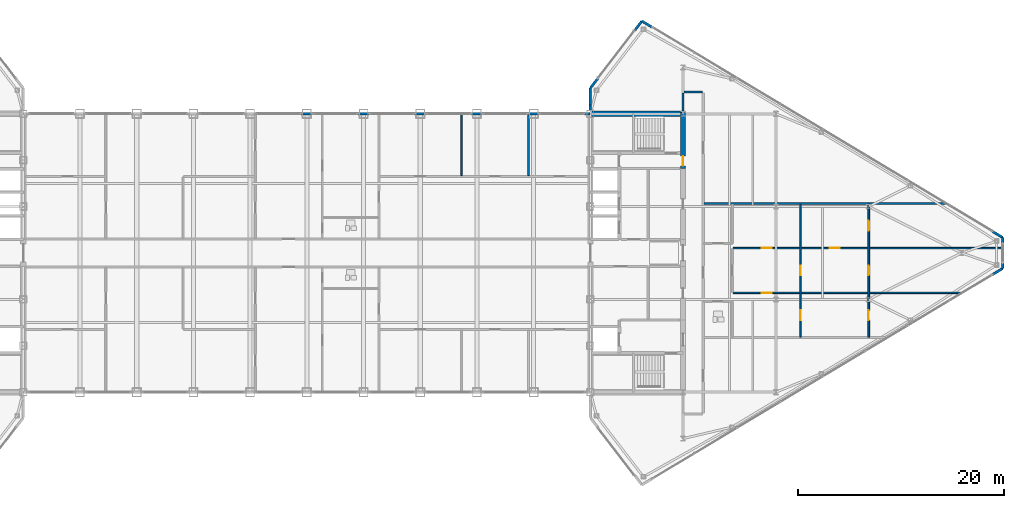
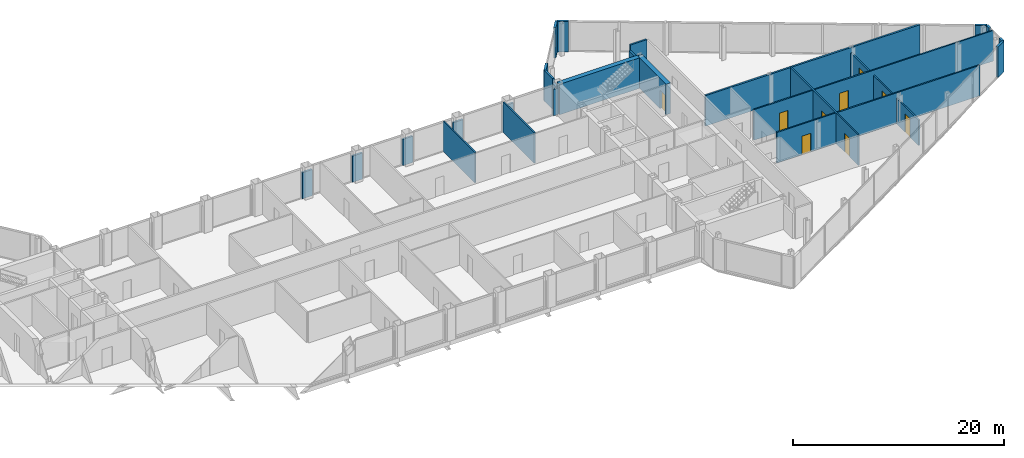
# One storey, part 26 of 29: 26 walls, 9 doors, 9 openings.
"""IFC4 building model written with IfcOpenShell, lengths in metres."""

from ifc_helpers import new_model, si_unit, direction, frame, frame_2d, origin, place, context, subcontext, project, spatial, rectangle, extrude, source, transform, mapped, material, layer, layer_set, type_object, type_shapes, element, fill, save


model = new_model("IFC4")

# Units and contexts
model_context = context("Model", 3, precision=1e-05, world=origin(), true_north=direction((0.0, 1.0)))
body_context = subcontext(model_context, "Body", "Model", "MODEL_VIEW")
ifc_project = project(units=[si_unit("LENGTHUNIT", "METRE"), si_unit("AREAUNIT", "SQUARE_METRE"), si_unit("VOLUMEUNIT", "CUBIC_METRE"), si_unit("PLANEANGLEUNIT", "RADIAN"), si_unit("MASSUNIT", "GRAM", prefix="KILO")], contexts=[model_context])

# Site, building, storey
site_placement = place(None, origin())
site = spatial("IfcSite", under=ifc_project, at=site_placement, CompositionType="ELEMENT")
building_placement = place(site_placement, origin())
building = spatial("IfcBuilding", under=site, at=building_placement, Name="Seokmaru Belvedere", CompositionType="ELEMENT")
storey_placement = place(building_placement, frame((0.0, 0.0, 246.89990234375)))
storey = spatial("IfcBuildingStorey", under=building, at=storey_placement, Name="L65", CompositionType="ELEMENT", Elevation=246.89990234375)

# Wall, opening, door
ifc_material_1 = material(Name="Fire-Rated Gypsum Shaftwall")
ifc_layer_1 = layer(ifc_material_1, 0.14990234375)
ifc_layer_set_1 = layer_set([ifc_layer_1], Name="Fire-Rated Gypsum Shaftwall")
wall_type_1 = type_object("IfcWallType", Name="Apartment Fire-Acoustic Room Partition 150", PredefinedType="PARTITIONING", material=ifc_layer_set_1)
wall_1_placement = place(storey_placement, frame((41.35009765625, -3.8701171875, 0.0), z_axis=(0.0, 0.0, 1.0), x_axis=(1.0, 0.0, 0.0)))
wall_1 = element("IfcWall", 1, at=wall_1_placement, inside=storey, type_object=wall_type_1, Name="L65 Interior Partition 011", PredefinedType="PARTITIONING", context=body_context, shape_type="SweptSolid", body=[
    extrude(rectangle(XDim=22.239990234375, YDim=0.14990234375, at=frame_2d((11.1201171875, 0.0))), origin(), (0.0, 0.0, 1.0), 3.530029296875),
])
opening_1_placement = place(wall_1_placement, frame((2.77490234375, 0.0, 0.0)))
opening_1 = element("IfcOpeningElement", 2, at=opening_1_placement, cuts=wall_1, Name="Opening D05", PredefinedType="OPENING", context=body_context, shape_type="SweptSolid", body=[
    extrude(rectangle(XDim=0.949951171875, YDim=2.14990234375, at=frame_2d((0.47509765625, 1.074951171875))), frame((0.0, 0.0849609375, 0.0), z_axis=(0.0, -1.0, 0.0), x_axis=(1.0, 0.0, 0.0)), (0.0, 0.0, 1.0), 0.169921875),
])
ifc_material_2 = material(Name="Engineered White Oak Timber", Category="wood")
door_type_1 = type_object("IfcDoorType", Name="Apartment Interior Fire-Rated Oak Door 950x2150", OperationType="NOTDEFINED", PredefinedType="DOOR", material=ifc_material_2)
shared_shape_1 = source(origin(), body_context, "Body", "SweptSolid", [
    extrude(rectangle(XDim=0.949951171875, YDim=2.14990234375, at=frame_2d((0.47509765625, 1.074951171875))), frame((0.0, 0.02490234375, 0.0), z_axis=(0.0, -1.0, 0.0), x_axis=(1.0, 0.0, 0.0)), (0.0, 0.0, 1.0), 0.050048828125),
])
type_shapes(door_type_1, [shared_shape_1])
door_1_placement = place(opening_1_placement, origin())
door_1 = element("IfcDoor", 3, at=door_1_placement, inside=storey, type_object=door_type_1, Name="L65 Interior Door 017", OperationType="SINGLE_SWING_LEFT", OverallHeight=2.14990234375, OverallWidth=0.949951171875, PredefinedType="DOOR", context=body_context, shape_type="MappedRepresentation", body=[
    mapped(shared_shape_1, transform((0.0, 0.0, 0.0), scale=1.0)),
])
fill(opening_1, door_1)

# Wall, openings, doors
wall_2_placement = place(storey_placement, frame((41.35009765625, 0.469970703125, 0.0), z_axis=(0.0, 0.0, 1.0), x_axis=(1.0, 0.0, 0.0)))
wall_2 = element("IfcWall", 4, at=wall_2_placement, inside=storey, type_object=wall_type_1, Name="L65 Interior Partition 016", PredefinedType="PARTITIONING", context=body_context, shape_type="SweptSolid", body=[
    extrude(rectangle(XDim=26.184814453125, YDim=0.14990234375, at=frame_2d((13.09228515625, 0.0))), origin(), (0.0, 0.0, 1.0), 3.530029296875),
])
opening_2_placement = place(wall_2_placement, frame((2.77490234375, 0.0, 0.0)))
opening_2 = element("IfcOpeningElement", 5, at=opening_2_placement, cuts=wall_2, Name="Opening D05", PredefinedType="OPENING", context=body_context, shape_type="SweptSolid", body=[
    extrude(rectangle(XDim=0.949951171875, YDim=2.14990234375, at=frame_2d((0.47509765625, 1.074951171875))), frame((0.0, 0.0849609375, 0.0), z_axis=(0.0, -1.0, 0.0), x_axis=(1.0, 0.0, 0.0)), (0.0, 0.0, 1.0), 0.169921875),
])
opening_3_placement = place(wall_2_placement, frame((9.375, 0.0, 0.0)))
opening_3 = element("IfcOpeningElement", 6, at=opening_3_placement, cuts=wall_2, Name="Opening D05", PredefinedType="OPENING", context=body_context, shape_type="SweptSolid", body=[
    extrude(rectangle(XDim=0.949951171875, YDim=2.14990234375, at=frame_2d((0.47509765625, 1.074951171875))), frame((0.0, 0.0849609375, 0.0), z_axis=(0.0, -1.0, 0.0), x_axis=(1.0, 0.0, 0.0)), (0.0, 0.0, 1.0), 0.169921875),
])
door_2_placement = place(opening_2_placement, origin())
door_2 = element("IfcDoor", 7, at=door_2_placement, inside=storey, type_object=door_type_1, Name="L65 Interior Door 019", OperationType="SINGLE_SWING_RIGHT", OverallHeight=2.14990234375, OverallWidth=0.949951171875, PredefinedType="DOOR", context=body_context, shape_type="MappedRepresentation", body=[
    mapped(shared_shape_1, transform((0.0, 0.0, 0.0), scale=1.0)),
])
fill(opening_2, door_2)
door_3_placement = place(opening_3_placement, origin())
door_3 = element("IfcDoor", 8, at=door_3_placement, inside=storey, type_object=door_type_1, Name="L65 Interior Door 023", OperationType="SINGLE_SWING_LEFT", OverallHeight=2.14990234375, OverallWidth=0.949951171875, PredefinedType="DOOR", context=body_context, shape_type="MappedRepresentation", body=[
    mapped(shared_shape_1, transform((0.0, 0.0, 0.0), scale=1.0)),
])
fill(opening_3, door_3)

# Walls
wall_3_placement = place(storey_placement, frame((15.0, 7.510009765625, 0.0), z_axis=(0.0, 0.0, 1.0), x_axis=(0.0, 1.0, 0.0)))
element("IfcWall", 9, at=wall_3_placement, inside=storey, type_object=wall_type_1, Name="L65 Interior Partition 045", PredefinedType="PARTITIONING", context=body_context, shape_type="SweptSolid", body=[
    extrude(rectangle(XDim=5.989990234375, YDim=0.14990234375, at=frame_2d((2.9951171875, 0.0))), origin(), (0.0, 0.0, 1.0), 3.530029296875),
])
wall_4_placement = place(storey_placement, frame((21.5, 7.510009765625, 0.0), z_axis=(0.0, 0.0, 1.0), x_axis=(0.0, 1.0, 0.0)))
element("IfcWall", 10, at=wall_4_placement, inside=storey, type_object=wall_type_1, Name="L65 Interior Partition 047", PredefinedType="PARTITIONING", context=body_context, shape_type="SweptSolid", body=[
    extrude(rectangle(XDim=5.8798828125, YDim=0.14990234375, at=frame_2d((2.93994140625, 0.0))), origin(), (0.0, 0.0, 1.0), 3.530029296875),
])

# Wall, openings, doors
wall_5_placement = place(storey_placement, frame((47.89990234375, -8.14990234375, 0.0), z_axis=(0.0, 0.0, 1.0), x_axis=(0.0, 1.0, 0.0)))
wall_5 = element("IfcWall", 11, at=wall_5_placement, inside=storey, type_object=wall_type_1, Name="L65 Interior Partition 054", PredefinedType="PARTITIONING", context=body_context, shape_type="SweptSolid", body=[
    extrude(rectangle(XDim=12.89990234375, YDim=0.14990234375, at=frame_2d((6.449951171875, 0.0))), origin(), (0.0, 0.0, 1.0), 3.530029296875),
])
opening_4_placement = place(wall_5_placement, frame((5.97509765625, 0.0, 0.0)))
opening_4 = element("IfcOpeningElement", 12, at=opening_4_placement, cuts=wall_5, Name="Opening D05", PredefinedType="OPENING", context=body_context, shape_type="SweptSolid", body=[
    extrude(rectangle(XDim=0.949951171875, YDim=2.14990234375, at=frame_2d((0.47509765625, 1.074951171875))), frame((0.0, 0.0849609375, 0.0), z_axis=(0.0, -1.0, 0.0), x_axis=(1.0, 0.0, 0.0)), (0.0, 0.0, 1.0), 0.169921875),
])
opening_5_placement = place(wall_5_placement, frame((1.6416015625, 0.0, 0.0)))
opening_5 = element("IfcOpeningElement", 13, at=opening_5_placement, cuts=wall_5, Name="Opening D05", PredefinedType="OPENING", context=body_context, shape_type="SweptSolid", body=[
    extrude(rectangle(XDim=0.949951171875, YDim=2.14990234375, at=frame_2d((0.47509765625, 1.074951171875))), frame((0.0, 0.0849609375, 0.0), z_axis=(0.0, -1.0, 0.0), x_axis=(1.0, 0.0, 0.0)), (0.0, 0.0, 1.0), 0.169921875),
])
door_4_placement = place(opening_4_placement, origin())
door_4 = element("IfcDoor", 14, at=door_4_placement, inside=storey, type_object=door_type_1, Name="L65 Interior Door 018", OperationType="SINGLE_SWING_RIGHT", OverallHeight=2.14990234375, OverallWidth=0.949951171875, PredefinedType="DOOR", context=body_context, shape_type="MappedRepresentation", body=[
    mapped(shared_shape_1, transform((0.0, 0.0, 0.0), scale=1.0)),
])
fill(opening_4, door_4)
door_5_placement = place(opening_5_placement, origin())
door_5 = element("IfcDoor", 15, at=door_5_placement, inside=storey, type_object=door_type_1, Name="L65 Interior Door 021", OperationType="SINGLE_SWING_LEFT", OverallHeight=2.14990234375, OverallWidth=0.949951171875, PredefinedType="DOOR", context=body_context, shape_type="MappedRepresentation", body=[
    mapped(shared_shape_1, transform((0.0, 0.0, 0.0), scale=1.0)),
])
fill(opening_5, door_5)

wall_6_placement = place(storey_placement, frame((54.5, -8.14990234375, 0.0), z_axis=(0.0, 0.0, 1.0), x_axis=(0.0, 1.0, 0.0)))
wall_6 = element("IfcWall", 16, at=wall_6_placement, inside=storey, type_object=wall_type_1, Name="L65 Interior Partition 055", PredefinedType="PARTITIONING", context=body_context, shape_type="SweptSolid", body=[
    extrude(rectangle(XDim=12.89990234375, YDim=0.14990234375, at=frame_2d((6.449951171875, 0.0))), origin(), (0.0, 0.0, 1.0), 2.93017578125),
])
opening_6_placement = place(wall_6_placement, frame((5.97509765625, 0.0, 0.0)))
opening_6 = element("IfcOpeningElement", 17, at=opening_6_placement, cuts=wall_6, Name="Opening D05", PredefinedType="OPENING", context=body_context, shape_type="SweptSolid", body=[
    extrude(rectangle(XDim=0.949951171875, YDim=2.14990234375, at=frame_2d((0.47509765625, 1.074951171875))), frame((0.0, 0.0849609375, 0.0), z_axis=(0.0, -1.0, 0.0), x_axis=(1.0, 0.0, 0.0)), (0.0, 0.0, 1.0), 0.169921875),
])
opening_7_placement = place(wall_6_placement, frame((1.6416015625, 0.0, 0.0)))
opening_7 = element("IfcOpeningElement", 18, at=opening_7_placement, cuts=wall_6, Name="Opening D05", PredefinedType="OPENING", context=body_context, shape_type="SweptSolid", body=[
    extrude(rectangle(XDim=0.949951171875, YDim=2.14990234375, at=frame_2d((0.47509765625, 1.074951171875))), frame((0.0, 0.0849609375, 0.0), z_axis=(0.0, -1.0, 0.0), x_axis=(1.0, 0.0, 0.0)), (0.0, 0.0, 1.0), 0.169921875),
])
opening_8_placement = place(wall_6_placement, frame((10.308349609375, 0.0, 0.0)))
opening_8 = element("IfcOpeningElement", 19, at=opening_8_placement, cuts=wall_6, Name="Opening D05", PredefinedType="OPENING", context=body_context, shape_type="SweptSolid", body=[
    extrude(rectangle(XDim=0.949951171875, YDim=2.14990234375, at=frame_2d((0.47509765625, 1.074951171875))), frame((0.0, 0.0849609375, 0.0), z_axis=(0.0, -1.0, 0.0), x_axis=(1.0, 0.0, 0.0)), (0.0, 0.0, 1.0), 0.169921875),
])
door_6_placement = place(opening_6_placement, origin())
door_6 = element("IfcDoor", 20, at=door_6_placement, inside=storey, type_object=door_type_1, Name="L65 Interior Door 020", OperationType="SINGLE_SWING_RIGHT", OverallHeight=2.14990234375, OverallWidth=0.949951171875, PredefinedType="DOOR", context=body_context, shape_type="MappedRepresentation", body=[
    mapped(shared_shape_1, transform((0.0, 0.0, 0.0), scale=1.0)),
])
fill(opening_6, door_6)
door_7_placement = place(opening_7_placement, origin())
door_7 = element("IfcDoor", 21, at=door_7_placement, inside=storey, type_object=door_type_1, Name="L65 Interior Door 022", OperationType="SINGLE_SWING_LEFT", OverallHeight=2.14990234375, OverallWidth=0.949951171875, PredefinedType="DOOR", context=body_context, shape_type="MappedRepresentation", body=[
    mapped(shared_shape_1, transform((0.0, 0.0, 0.0), scale=1.0)),
])
fill(opening_7, door_7)
door_8_placement = place(opening_8_placement, origin())
door_8 = element("IfcDoor", 22, at=door_8_placement, inside=storey, type_object=door_type_1, Name="L65 Interior Door 024", OperationType="SINGLE_SWING_RIGHT", OverallHeight=2.14990234375, OverallWidth=0.949951171875, PredefinedType="DOOR", context=body_context, shape_type="MappedRepresentation", body=[
    mapped(shared_shape_1, transform((0.0, 0.0, 0.0), scale=1.0)),
])
fill(opening_8, door_8)

# Walls
ifc_material_3 = material(Name="Anodised Bronze Aluminium", Category="aluminium")
ifc_layer_2 = layer(ifc_material_3, 0.2099609375)
ifc_layer_set_2 = layer_set([ifc_layer_2], Name="Anodised Bronze Aluminium")
wall_type_2 = type_object("IfcWallType", Name="Bridge Column Spandrel Closure Pier 210", PredefinedType="SOLIDWALL", material=ifc_layer_set_2)
for number, where, z_axis, x_axis, name in (
    (23, (-0.550048828125, 13.5, 0.0), (0.0, 0.0, 1.0), (1.0, 0.0, 0.0), "L65 Bridge North Column Closure Pier 06"),
    (24, (4.949951171875, 13.5, 0.0), (0.0, 0.0, 1.0), (1.0, 0.0, 0.0), "L65 Bridge North Column Closure Pier 07"),
    (25, (10.449951171875, 13.5, 0.0), (0.0, 0.0, 1.0), (1.0, 0.0, 0.0), "L65 Bridge North Column Closure Pier 08"),
    (26, (15.949951171875, 13.5, 0.0), (0.0, 0.0, 1.0), (1.0, 0.0, 0.0), "L65 Bridge North Column Closure Pier 09"),
    (27, (21.449951171875, 13.5, 0.0), (0.0, 0.0, 1.0), (1.0, 0.0, 0.0), "L65 Bridge North Column Closure Pier 10"),
):
    element("IfcWall", number, at=place(storey_placement, frame(where, z_axis=z_axis, x_axis=x_axis)), inside=storey, type_object=wall_type_2, Name=name, PredefinedType="SOLIDWALL", context=body_context, shape_type="SweptSolid", body=[
        extrude(rectangle(XDim=1.10009765625, YDim=0.2099609375, at=frame_2d((0.550048828125, 0.0))), origin(), (0.0, 0.0, 1.0), 3.030029296875),
    ])
wall_7_placement = place(storey_placement, frame((26.949951171875, 13.5, 0.0), z_axis=(0.0, 0.0, 1.0), x_axis=(1.0, 0.0, 0.0)))
element("IfcWall", 28, at=wall_7_placement, inside=storey, type_object=wall_type_2, Name="L65 Bridge North Column Closure Pier 11", PredefinedType="SOLIDWALL", context=body_context, shape_type="SweptSolid", body=[
    extrude(rectangle(XDim=0.5400390625, YDim=0.2099609375, at=frame_2d((0.27001953125, 0.0))), origin(), (0.0, 0.0, 1.0), 3.030029296875),
])
ifc_layer_3 = layer(ifc_material_1, 0.199951171875)
ifc_layer_set_3 = layer_set([ifc_layer_3], Name="Fire-Rated Gypsum Shaftwall")
wall_type_3 = type_object("IfcWallType", Name="Inter-Tenancy Fire Compartment Partition 200", PredefinedType="PARTITIONING", material=ifc_layer_set_3)
wall_8_placement = place(storey_placement, frame((38.530029296875, 4.800048828125, 0.0), z_axis=(0.0, 0.0, 1.0), x_axis=(1.0, 0.0, 0.0)))
element("IfcWall", 29, at=wall_8_placement, inside=storey, type_object=wall_type_3, Name="L65 Interior Partition 021", PredefinedType="PARTITIONING", context=body_context, shape_type="SweptSolid", body=[
    extrude(rectangle(XDim=23.47998046875, YDim=0.199951171875, at=frame_2d((11.739990234375, 0.0))), origin(), (0.0, 0.0, 1.0), 3.530029296875),
])
wall_9_placement = place(storey_placement, frame((36.5849609375, 15.60009765625, 0.0), z_axis=(0.0, 0.0, 1.0), x_axis=(1.0, 0.0, 0.0)))
element("IfcWall", 30, at=wall_9_placement, inside=storey, type_object=wall_type_3, Name="L65 Interior Partition 026", PredefinedType="PARTITIONING", context=body_context, shape_type="SweptSolid", body=[
    extrude(rectangle(XDim=1.780029296875, YDim=0.199951171875, at=frame_2d((0.89013671875, 0.0))), origin(), (0.0, 0.0, 1.0), 3.530029296875),
])
wall_10_placement = place(storey_placement, frame((36.5, 13.7548828125, 0.0), z_axis=(0.0, 0.0, 1.0), x_axis=(0.0, 1.0, 0.0)))
element("IfcWall", 31, at=wall_10_placement, inside=storey, type_object=wall_type_3, Name="L65 Interior Partition 049", PredefinedType="PARTITIONING", context=body_context, shape_type="SweptSolid", body=[
    extrude(rectangle(XDim=1.760009765625, YDim=0.199951171875, at=frame_2d((0.8798828125, 0.0))), origin(), (0.0, 0.0, 1.0), 2.93017578125),
])
ifc_layer_4 = layer(ifc_material_3, 0.239990234375)
ifc_layer_set_4 = layer_set([ifc_layer_4], Name="Anodised Bronze Aluminium")
wall_type_4 = type_object("IfcWallType", Name="Tower Corner Spandrel Closure Wall 240", PredefinedType="SOLIDWALL", material=ifc_layer_set_4)
wall_11_placement = place(storey_placement, frame((66.513916015625, -2.091796875, 0.0), z_axis=(0.0, 0.0, 1.0), x_axis=(0.85743623509, 0.514590228002, 0.0)))
element("IfcWall", 32, at=wall_11_placement, inside=storey, type_object=wall_type_4, Name="L65 E Corner Closure Pier 1B", PredefinedType="SOLIDWALL", context=body_context, shape_type="SweptSolid", body=[
    extrude(rectangle(XDim=1.14013671875, YDim=0.239990234375, at=frame_2d((0.570068359375, 0.0))), origin(), (0.0, 0.0, 1.0), 3.530029296875),
])
for number, where, z_axis, x_axis, name in (
    (33, (67.5, -1.489990234375, 0.0), (0.0, 0.0, 1.0), (0.0, 1.0, 0.0), "L65 E Apex Closure Pier 2A"),
    (34, (67.5, 0.949951171875, 0.0), (0.0, 0.0, 1.0), (0.0, 1.0, 0.0), "L65 E Apex Closure Pier 2B"),
):
    element("IfcWall", number, at=place(storey_placement, frame(where, z_axis=z_axis, x_axis=x_axis)), inside=storey, type_object=wall_type_4, Name=name, PredefinedType="SOLIDWALL", context=body_context, shape_type="SweptSolid", body=[
        extrude(rectangle(XDim=0.5400390625, YDim=0.239990234375, at=frame_2d((0.27001953125, 0.0))), origin(), (0.0, 0.0, 1.0), 3.530029296875),
    ])
for number, where, z_axis, x_axis, name in (
    (35, (67.491455078125, 1.505126953125, 0.0), (0.0, 0.0, 1.0), (-0.85743623509, 0.514590228002, 0.0), "L65 E Corner Closure Pier 3A"),
    (36, (33.486083984375, 21.908203125, 0.0), (0.0, 0.0, 1.0), (-0.85743623509, 0.514590228002, 0.0), "L65 E Corner Closure Pier 3B"),
    (37, (32.493896484375, 22.4921875, 0.0), (0.0, 0.0, 1.0), (-0.609617623633, -0.792695624408, 0.0), "L65 E Corner Closure Pier 4A"),
    (38, (28.201171875, 16.91162109375, 0.0), (0.0, 0.0, 1.0), (-0.609617623633, -0.792695624408, 0.0), "L65 E Corner Closure Pier 4B"),
):
    element("IfcWall", number, at=place(storey_placement, frame(where, z_axis=z_axis, x_axis=x_axis)), inside=storey, type_object=wall_type_4, Name=name, PredefinedType="SOLIDWALL", context=body_context, shape_type="SweptSolid", body=[
        extrude(rectangle(XDim=1.14013671875, YDim=0.239990234375, at=frame_2d((0.570068359375, 0.0))), origin(), (0.0, 0.0, 1.0), 3.530029296875),
    ])
wall_12_placement = place(storey_placement, frame((27.5, 13.7548828125, 0.0), z_axis=(0.0, 0.0, 1.0), x_axis=(0.0, 1.0, 0.0)))
element("IfcWall", 39, at=wall_12_placement, inside=storey, type_object=wall_type_4, Name="L65 E Shoulder Closure Wall 2", PredefinedType="SOLIDWALL", context=body_context, shape_type="SweptSolid", body=[
    extrude(rectangle(XDim=0.619873046875, YDim=0.239990234375, at=frame_2d((0.31005859375, 0.0))), origin(), (0.0, 0.0, 1.0), 3.030029296875),
])
wall_13_placement = place(storey_placement, frame((27.5, 14.374755859375, 0.0), z_axis=(0.0, 0.0, 1.0), x_axis=(0.0, 1.0, 0.0)))
element("IfcWall", 40, at=wall_13_placement, inside=storey, type_object=wall_type_4, Name="L65 E Shoulder Closure Wall 2 Part 2", PredefinedType="SOLIDWALL", context=body_context, shape_type="SweptSolid", body=[
    extrude(rectangle(XDim=1.605224609375, YDim=0.239990234375, at=frame_2d((0.802734375, 0.0))), origin(), (0.0, 0.0, 1.0), 3.530029296875),
])
ifc_material_4 = material(Name="Concrete C50 (50 MPa)", Category="concrete")
ifc_layer_5 = layer(ifc_material_4, 0.5)
ifc_layer_set_5 = layer_set([ifc_layer_5], Name="Concrete C50 (50 MPa)")
wall_type_5 = type_object("IfcWallType", Name="Upper Tower Reinforced Concrete Core Wall 500", PredefinedType="SHEAR", material=ifc_layer_set_5)
wall_14_placement = place(storey_placement, frame((27.5, 13.5, 0.0), z_axis=(0.0, 0.0, 1.0), x_axis=(1.0, 0.0, 0.0)))
element("IfcWall", 41, at=wall_14_placement, inside=storey, type_object=wall_type_5, Name="L65 East North Core Wall", PredefinedType="SHEAR", context=body_context, shape_type="SweptSolid", body=[
    extrude(rectangle(XDim=9.0, YDim=0.5, at=frame_2d((4.5, 0.0))), origin(), (0.0, 0.0, 1.0), 3.530029296875),
])

# Wall, opening, door
wall_15_placement = place(storey_placement, frame((36.5, 8.199951171875, 0.0), z_axis=(0.0, 0.0, 1.0), x_axis=(0.0, 1.0, 0.0)))
wall_15 = element("IfcWall", 42, at=wall_15_placement, inside=storey, type_object=wall_type_5, Name="L65 East West Core Wall VST", PredefinedType="SHEAR", context=body_context, shape_type="SweptSolid", body=[
    extrude(rectangle(XDim=5.449951171875, YDim=0.5, at=frame_2d((2.72509765625, 0.0))), origin(), (0.0, 0.0, 1.0), 3.530029296875),
])
opening_9_placement = place(wall_15_placement, frame((0.2451171875, 0.0, 0.0)))
opening_9 = element("IfcOpeningElement", 43, at=opening_9_placement, cuts=wall_15, Name="Opening D04", PredefinedType="OPENING", context=body_context, shape_type="SweptSolid", body=[
    extrude(rectangle(XDim=0.949951171875, YDim=2.14990234375, at=frame_2d((0.47509765625, 1.074951171875))), frame((0.0, 0.260009765625, 0.0), z_axis=(0.0, -1.0, 0.0), x_axis=(1.0, 0.0, 0.0)), (0.0, 0.0, 1.0), 0.52001953125),
])
ifc_material_5 = material(Name="Fire-Rated Steel Leaf", Category="steel")
door_type_2 = type_object("IfcDoorType", Name="Core Service Room Fire Door 950x2150", OperationType="NOTDEFINED", PredefinedType="DOOR", material=ifc_material_5)
shared_shape_2 = source(origin(), body_context, "Body", "SweptSolid", [
    extrude(rectangle(XDim=0.949951171875, YDim=2.14990234375, at=frame_2d((0.47509765625, 1.074951171875))), frame((0.0, 0.02490234375, 0.0), z_axis=(0.0, -1.0, 0.0), x_axis=(1.0, 0.0, 0.0)), (0.0, 0.0, 1.0), 0.050048828125),
])
type_shapes(door_type_2, [shared_shape_2])
door_9_placement = place(opening_9_placement, origin())
door_9 = element("IfcDoor", 44, at=door_9_placement, inside=storey, type_object=door_type_2, Name="L65 East Smokeproof Vestibule Door", OperationType="SINGLE_SWING_LEFT", OverallHeight=2.14990234375, OverallWidth=0.949951171875, PredefinedType="DOOR", context=body_context, shape_type="MappedRepresentation", body=[
    mapped(shared_shape_2, transform((0.0, 0.0, 0.0), scale=1.0)),
])
fill(opening_9, door_9)

save(model, "model.ifc")
